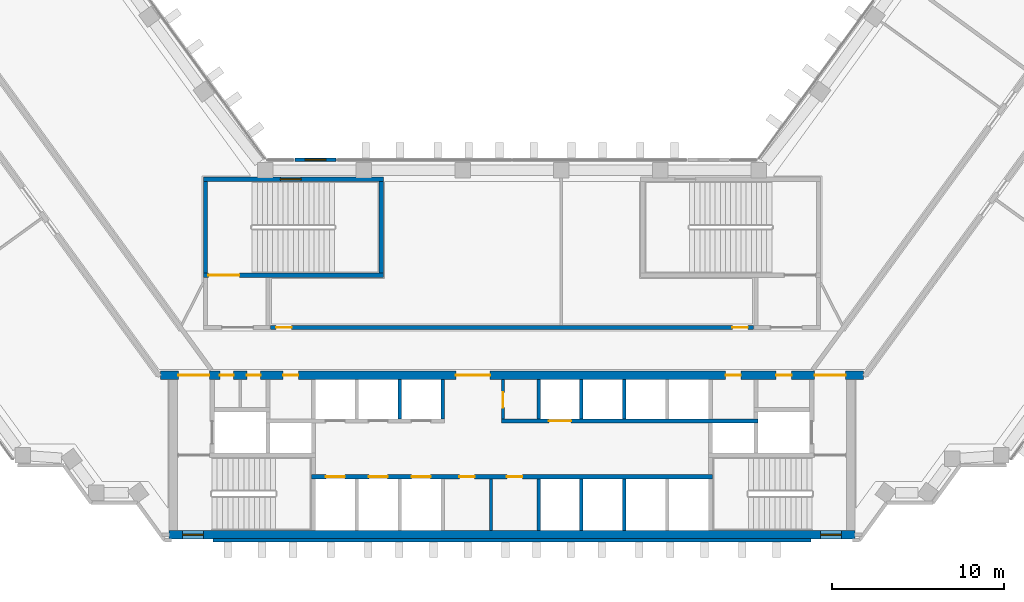
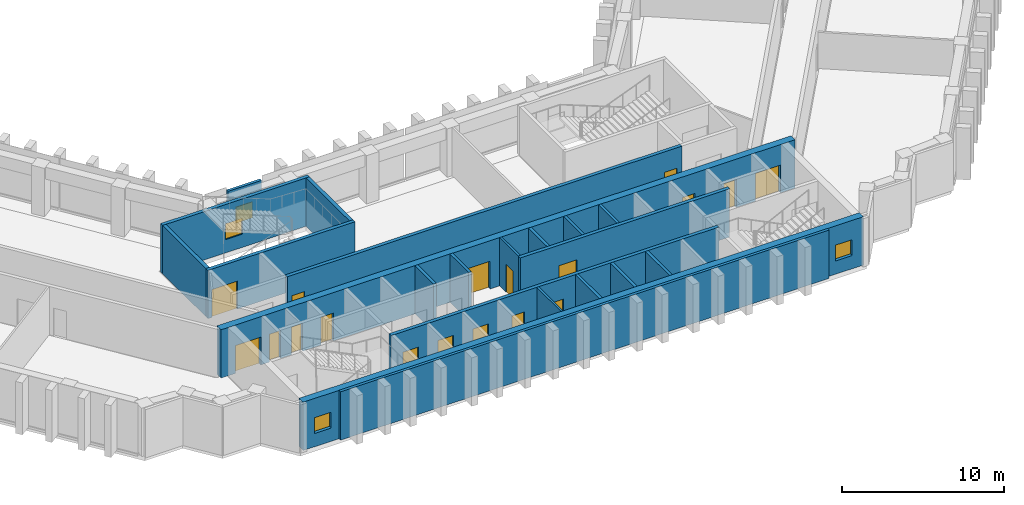
# One storey, part 5 of 11: 21 walls, 18 doors, 4 windows, 22 openings.
"""IFC4 building model written with IfcOpenShell, lengths in metres."""

import ifcopenshell
import ifcopenshell.guid

model = None  # the IFC model being written
_history = None  # IfcOwnerHistory: only IFC2X3 demands one
_inside = {}  # id of a spatial element -> (the spatial element, [elements in it])
_under = {}  # id of a project, library or spatial element -> (it, [spatial elements below it])
_declared = {}  # id of a project -> (the project, [libraries it declares])
_typed = {}  # id of a type object -> (the type object, [elements of that type])
_made_of = {}  # id of a material, layer set ... -> (it, [elements and type objects made of it])


def new_model(schema):
    """Start an empty IFC model of exactly this schema.

    Asked for "IFC4X3", IfcOpenShell would pick the latest addendum, in which some entities
    have other attributes; the version numbers below select the first issue.
    IFC2X3 requires an IfcOwnerHistory on every rooted entity: one is made here for all.
    """
    global model, _history
    if schema == "IFC4X3":
        model = ifcopenshell.file(schema_version=(4, 3, 0, 0))
    else:
        model = ifcopenshell.file(schema=schema)
    _inside.clear()
    _under.clear()
    _declared.clear()
    _typed.clear()
    _made_of.clear()
    _history = None
    if model.schema == "IFC2X3":
        org = make("IfcOrganization", Name="unknown")
        user = make(
            "IfcPersonAndOrganization",
            ThePerson=make("IfcPerson", FamilyName="unknown"),
            TheOrganization=org,
        )
        app = make(
            "IfcApplication",
            ApplicationDeveloper=org,
            Version="unknown",
            ApplicationFullName="unknown",
            ApplicationIdentifier="unknown",
        )
        _history = make(
            "IfcOwnerHistory",
            OwningUser=user,
            OwningApplication=app,
            ChangeAction="ADDED",
            CreationDate=0,
        )
    return model


def make(cls, **values):
    """One entity of the class cls with the attributes given. An attribute that is None is left unset."""
    return model.create_entity(
        cls, **{name: value for name, value in values.items() if value is not None}
    )


def rooted(cls, **values):
    """An entity with a GlobalId (a new one), such as an element, a storey or a relation."""
    return make(cls, GlobalId=ifcopenshell.guid.new(), OwnerHistory=_history, **values)


def si_unit(unit_type, name, prefix=None):
    """IfcSIUnit, for example si_unit("LENGTHUNIT", "METRE", prefix="MILLI")."""
    return make("IfcSIUnit", UnitType=unit_type, Prefix=prefix, Name=name)


def assignment(units):
    """IfcUnitAssignment: the units of a project."""
    return None if units is None else make("IfcUnitAssignment", Units=units)


def point(xyz):
    """IfcCartesianPoint."""
    return None if xyz is None else make("IfcCartesianPoint", Coordinates=xyz)


def direction(xyz):
    """IfcDirection."""
    return None if xyz is None else make("IfcDirection", DirectionRatios=xyz)


def frame(location, z_axis=None, x_axis=None):
    """IfcAxis2Placement3D, a coordinate frame: its origin and axes. An axis left out is left unset."""
    return make(
        "IfcAxis2Placement3D",
        Location=point(location),
        Axis=direction(z_axis),
        RefDirection=direction(x_axis),
    )


def frame_2d(location, x_axis=None):
    """IfcAxis2Placement2D, a coordinate frame in the plane: its origin and x axis."""
    return make(
        "IfcAxis2Placement2D", Location=point(location), RefDirection=direction(x_axis)
    )


def origin():
    """The frame at (0, 0, 0) with its axes left unset."""
    return frame((0.0, 0.0, 0.0))


def place(relative_to, where):
    """IfcLocalPlacement: puts the frame where relative to a parent placement (None: the world)."""
    return make(
        "IfcLocalPlacement", PlacementRelTo=relative_to, RelativePlacement=where
    )


def context(
    kind, dimensions, precision=None, world=None, true_north=None, identifier=None
):
    """IfcGeometricRepresentationContext, for example the 3D "Model" context."""
    return make(
        "IfcGeometricRepresentationContext",
        ContextIdentifier=identifier,
        ContextType=kind,
        CoordinateSpaceDimension=dimensions,
        Precision=precision,
        WorldCoordinateSystem=world,
        TrueNorth=true_north,
    )


def subcontext(parent, identifier, kind, view, scale=None):
    """IfcGeometricRepresentationSubContext, for example "Body" below "Model"."""
    return make(
        "IfcGeometricRepresentationSubContext",
        ContextIdentifier=identifier,
        ContextType=kind,
        ParentContext=parent,
        TargetScale=scale,
        TargetView=view,
    )


def project(units=None, contexts=None):
    """IfcProject with its units and contexts."""
    return rooted(
        "IfcProject",
        Name="project",
        RepresentationContexts=contexts,
        UnitsInContext=assignment(units),
    )


def spatial(cls, under=None, at=None, **own):
    """A site, building, storey or space (cls), placed at a placement, below another one or the project."""
    s = rooted(cls, ObjectPlacement=at, **own)
    if under is not None:
        _under.setdefault(under.id(), (under, []))[1].append(s)
    return s


def profile(cls, at=None, kind="AREA", **sizes):
    """A parametric profile (cls). Its sizes go by their IFC names, for example OverallWidth=200.0."""
    return make(cls, ProfileType=kind, Position=at, **sizes)


def rectangle(**sizes):
    """IfcRectangleProfileDef."""
    return profile("IfcRectangleProfileDef", **sizes)


def extrude(swept, where, along, depth):
    """IfcExtrudedAreaSolid: the profile swept, set in the frame where, extruded along a direction by depth."""
    return make(
        "IfcExtrudedAreaSolid",
        SweptArea=swept,
        Position=where,
        ExtrudedDirection=direction(along),
        Depth=depth,
    )


def shape(context_of_items, identifier, shape_type, items):
    """IfcShapeRepresentation: the items that make up one representation, for example the "Body"."""
    return make(
        "IfcShapeRepresentation",
        ContextOfItems=context_of_items,
        RepresentationIdentifier=identifier,
        RepresentationType=shape_type,
        Items=items,
    )


def material(Name=None, Category=None):
    """IfcMaterial."""
    return make("IfcMaterial", Name=Name, Category=Category)


def layer(
    of_material, thickness, ventilated=None, Name=None, Category=None, Priority=None
):
    """IfcMaterialLayer: one layer of a wall or slab, of a material (None: an air gap)."""
    return make(
        "IfcMaterialLayer",
        Material=of_material,
        LayerThickness=thickness,
        IsVentilated=ventilated,
        Name=Name,
        Category=Category,
        Priority=Priority,
    )


def layer_set(layers, Name=None):
    """IfcMaterialLayerSet."""
    return make("IfcMaterialLayerSet", MaterialLayers=layers, LayerSetName=Name)


def made_of(thing, what):
    """Note that an element or type object is made of a material, layer set ...; save() writes the relation."""
    if what is not None:
        _made_of.setdefault(what.id(), (what, []))[1].append(thing)
    return thing


def type_object(cls, material=None, **own):
    """A type object (cls), such as IfcWallType, which elements share."""
    return made_of(rooted(cls, **own), material)


def element(
    cls,
    number,
    at=None,
    inside=None,
    cuts=None,
    type_object=None,
    material=None,
    context=None,
    identifier="Body",
    shape_type=None,
    held_by="IfcProductDefinitionShape",
    body=None,
    shapes=None,
    **own,
):
    """One element of the class cls, such as IfcWall. Its Tag is "e" and its number.

    at: its placement. inside: the storey or other place that contains it. cuts: it is an
    opening in that element (IfcRelVoidsElement). A single representation is given by context,
    identifier, shape_type and body (its items); several are given by shapes. held_by: the class
    of the entity that holds the representations. save() writes the other relations.
    """
    e = rooted(cls, Tag="e%d" % number, ObjectPlacement=at, **own)
    if body is not None:
        shapes = [shape(context, identifier, shape_type, body)]
    if shapes is not None:
        e.Representation = make(held_by, Representations=shapes)
    if inside is not None:
        _inside.setdefault(inside.id(), (inside, []))[1].append(e)
    if cuts is not None:
        rooted(
            "IfcRelVoidsElement", RelatingBuildingElement=cuts, RelatedOpeningElement=e
        )
    if type_object is not None:
        _typed.setdefault(type_object.id(), (type_object, []))[1].append(e)
    return made_of(e, material)


def fill(opening, filler):
    """IfcRelFillsElement: the door or window that sits in an opening."""
    return rooted(
        "IfcRelFillsElement",
        RelatingOpeningElement=opening,
        RelatedBuildingElement=filler,
    )


def aggregate(whole, parts):
    """IfcRelAggregates: a whole, such as a stair, and the parts it consists of."""
    return rooted("IfcRelAggregates", RelatingObject=whole, RelatedObjects=parts)


def save(model, path):
    """Write the relations noted so far, then the file.

    IfcRelAggregates (storeys below a building ...), IfcRelContainedInSpatialStructure (elements
    in a storey), IfcRelDefinesByType, IfcRelAssociatesMaterial and IfcRelDeclares: one each for
    every whole, place, type object, material and project.
    """
    for whole, parts in _under.values():
        aggregate(whole, parts)
    for where, things in _inside.values():
        rooted(
            "IfcRelContainedInSpatialStructure",
            RelatedElements=things,
            RelatingStructure=where,
        )
    for kind, things in _typed.values():
        rooted("IfcRelDefinesByType", RelatedObjects=things, RelatingType=kind)
    for what, things in _made_of.values():
        rooted("IfcRelAssociatesMaterial", RelatedObjects=things, RelatingMaterial=what)
    for by, libraries in _declared.values():
        rooted("IfcRelDeclares", RelatingContext=by, RelatedDefinitions=libraries)
    model.write(path)


model = new_model("IFC4")

# Units and contexts
model_context = context("Model", 3, precision=1e-05, world=origin(), true_north=direction((0.0, 1.0)))
body_context = subcontext(model_context, "Body", "Model", "MODEL_VIEW")
ifc_project = project(units=[si_unit("LENGTHUNIT", "METRE"), si_unit("AREAUNIT", "SQUARE_METRE"), si_unit("VOLUMEUNIT", "CUBIC_METRE"), si_unit("PLANEANGLEUNIT", "RADIAN"), si_unit("MASSUNIT", "GRAM", prefix="KILO")], contexts=[model_context])

# Site, building, storey
site_placement = place(None, origin())
site = spatial("IfcSite", under=ifc_project, at=site_placement, CompositionType="ELEMENT")
building_placement = place(site_placement, origin())
building = spatial("IfcBuilding", under=site, at=building_placement, Name="Quipu Civic Tower", CompositionType="ELEMENT")
storey_placement = place(building_placement, frame((0.0, 0.0, 117.0)))
storey = spatial("IfcBuildingStorey", under=building, at=storey_placement, Name="L27", CompositionType="ELEMENT", Elevation=117.0)

# Wall, openings, doors
ifc_material_1 = material(Name="Concrete C70/85", Category="concrete")
ifc_layer_1 = layer(ifc_material_1, 0.25)
ifc_layer_set_1 = layer_set([ifc_layer_1], Name="Concrete C70/85")
wall_type_1 = type_object("IfcWallType", Name="Core wall 250", PredefinedType="SHEAR", material=ifc_layer_set_1)
wall_1_placement = place(storey_placement, frame((11.699951171875, -7.375, 0.0), z_axis=(0.0, 0.0, 1.0), x_axis=(-1.0, 0.0, 0.0)))
wall_1 = element("IfcWall", 1, at=wall_1_placement, inside=storey, type_object=wall_type_1, Name="Core wall", PredefinedType="SHEAR", context=body_context, shape_type="SweptSolid", body=[
    extrude(rectangle(XDim=23.39990234375, YDim=0.25, at=frame_2d((11.699951171875, 0.0))), origin(), (0.0, 0.0, 1.0), 3.64990234375),
])
opening_1_placement = place(wall_1_placement, frame((21.449951171875, 0.0, 0.0)))
opening_1 = element("IfcOpeningElement", 2, at=opening_1_placement, cuts=wall_1, Name="Opening LD-LL1", PredefinedType="OPENING", context=body_context, shape_type="SweptSolid", body=[
    extrude(rectangle(XDim=1.10009765625, YDim=2.10009765625, at=frame_2d((0.550048828125, 1.050048828125))), frame((0.0, 0.135009765625, 0.0), z_axis=(0.0, -1.0, 0.0), x_axis=(1.0, 0.0, 0.0)), (0.0, 0.0, 1.0), 0.27001953125),
])
opening_2_placement = place(wall_1_placement, frame((18.949951171875, 0.0, 0.0)))
opening_2 = element("IfcOpeningElement", 3, at=opening_2_placement, cuts=wall_1, Name="Opening LD-LL2", PredefinedType="OPENING", context=body_context, shape_type="SweptSolid", body=[
    extrude(rectangle(XDim=1.10009765625, YDim=2.10009765625, at=frame_2d((0.550048828125, 1.050048828125))), frame((0.0, 0.135009765625, 0.0), z_axis=(0.0, -1.0, 0.0), x_axis=(1.0, 0.0, 0.0)), (0.0, 0.0, 1.0), 0.27001953125),
])
opening_3_placement = place(wall_1_placement, frame((16.449951171875, 0.0, 0.0)))
opening_3 = element("IfcOpeningElement", 4, at=opening_3_placement, cuts=wall_1, Name="Opening LD-LL3", PredefinedType="OPENING", context=body_context, shape_type="SweptSolid", body=[
    extrude(rectangle(XDim=1.10009765625, YDim=2.10009765625, at=frame_2d((0.550048828125, 1.050048828125))), frame((0.0, 0.135009765625, 0.0), z_axis=(0.0, -1.0, 0.0), x_axis=(1.0, 0.0, 0.0)), (0.0, 0.0, 1.0), 0.27001953125),
])
opening_4_placement = place(wall_1_placement, frame((13.875, 0.0, 0.0)))
opening_4 = element("IfcOpeningElement", 5, at=opening_4_placement, cuts=wall_1, Name="Opening CD-01", PredefinedType="OPENING", context=body_context, shape_type="SweptSolid", body=[
    extrude(rectangle(XDim=0.89990234375, YDim=2.10009765625, at=frame_2d((0.449951171875, 1.050048828125))), frame((0.0, 0.135009765625, 0.0), z_axis=(0.0, -1.0, 0.0), x_axis=(1.0, 0.0, 0.0)), (0.0, 0.0, 1.0), 0.27001953125),
])
opening_5_placement = place(wall_1_placement, frame((11.10009765625, 0.0, 0.0)))
opening_5 = element("IfcOpeningElement", 6, at=opening_5_placement, cuts=wall_1, Name="Opening CD-02", PredefinedType="OPENING", context=body_context, shape_type="SweptSolid", body=[
    extrude(rectangle(XDim=0.89990234375, YDim=2.10009765625, at=frame_2d((0.449951171875, 1.050048828125))), frame((0.0, 0.135009765625, 0.0), z_axis=(0.0, -1.0, 0.0), x_axis=(1.0, 0.0, 0.0)), (0.0, 0.0, 1.0), 0.27001953125),
])
ifc_material_2 = material(Name="Fire rated steel door", Category="steel")
door_type_1 = type_object("IfcDoorType", Name="Fire door FD60 900 x 2100", OperationType="NOTDEFINED", PredefinedType="DOOR", material=ifc_material_2)
door_1_placement = place(opening_4_placement, origin())
door_1 = element("IfcDoor", 7, at=door_1_placement, inside=storey, type_object=door_type_1, Name="WC door", OperationType="SINGLE_SWING_RIGHT", OverallHeight=2.10009765625, OverallWidth=0.89990234375, PredefinedType="DOOR", context=body_context, shape_type="SweptSolid", body=[
    extrude(rectangle(XDim=0.89990234375, YDim=2.10009765625, at=frame_2d((0.449951171875, 1.050048828125))), frame((0.0, 0.02490234375, 0.0), z_axis=(0.0, -1.0, 0.0), x_axis=(1.0, 0.0, 0.0)), (0.0, 0.0, 1.0), 0.050048828125),
])
fill(opening_4, door_1)
door_2_placement = place(opening_5_placement, origin())
door_2 = element("IfcDoor", 8, at=door_2_placement, inside=storey, type_object=door_type_1, Name="WC door", OperationType="SINGLE_SWING_LEFT", OverallHeight=2.10009765625, OverallWidth=0.89990234375, PredefinedType="DOOR", context=body_context, shape_type="SweptSolid", body=[
    extrude(rectangle(XDim=0.89990234375, YDim=2.10009765625, at=frame_2d((0.449951171875, 1.050048828125))), frame((0.0, 0.02490234375, 0.0), z_axis=(0.0, -1.0, 0.0), x_axis=(1.0, 0.0, 0.0)), (0.0, 0.0, 1.0), 0.050048828125),
])
fill(opening_5, door_2)
ifc_material_3 = material(Name="Stainless steel", Category="steel")
door_type_2 = type_object("IfcDoorType", Name="Lift landing door 1100 x 2100", OperationType="DOUBLE_DOOR_SLIDING", PredefinedType="DOOR", material=ifc_material_3)
door_3_placement = place(opening_1_placement, origin())
door_3 = element("IfcDoor", 9, at=door_3_placement, inside=storey, type_object=door_type_2, Name="Landing door LL1", OperationType="DOUBLE_DOOR_SLIDING", OverallHeight=2.10009765625, OverallWidth=1.10009765625, PredefinedType="DOOR", context=body_context, shape_type="SweptSolid", body=[
    extrude(rectangle(XDim=1.10009765625, YDim=2.10009765625, at=frame_2d((0.550048828125, 1.050048828125))), frame((0.0, 0.02490234375, 0.0), z_axis=(0.0, -1.0, 0.0), x_axis=(1.0, 0.0, 0.0)), (0.0, 0.0, 1.0), 0.050048828125),
])
fill(opening_1, door_3)
door_4_placement = place(opening_2_placement, origin())
door_4 = element("IfcDoor", 10, at=door_4_placement, inside=storey, type_object=door_type_2, Name="Landing door LL2", OperationType="DOUBLE_DOOR_SLIDING", OverallHeight=2.10009765625, OverallWidth=1.10009765625, PredefinedType="DOOR", context=body_context, shape_type="SweptSolid", body=[
    extrude(rectangle(XDim=1.10009765625, YDim=2.10009765625, at=frame_2d((0.550048828125, 1.050048828125))), frame((0.0, 0.02490234375, 0.0), z_axis=(0.0, -1.0, 0.0), x_axis=(1.0, 0.0, 0.0)), (0.0, 0.0, 1.0), 0.050048828125),
])
fill(opening_2, door_4)
door_5_placement = place(opening_3_placement, origin())
door_5 = element("IfcDoor", 11, at=door_5_placement, inside=storey, type_object=door_type_2, Name="Landing door LL3", OperationType="DOUBLE_DOOR_SLIDING", OverallHeight=2.10009765625, OverallWidth=1.10009765625, PredefinedType="DOOR", context=body_context, shape_type="SweptSolid", body=[
    extrude(rectangle(XDim=1.10009765625, YDim=2.10009765625, at=frame_2d((0.550048828125, 1.050048828125))), frame((0.0, 0.02490234375, 0.0), z_axis=(0.0, -1.0, 0.0), x_axis=(1.0, 0.0, 0.0)), (0.0, 0.0, 1.0), 0.050048828125),
])
fill(opening_3, door_5)

# Wall, opening, door
wall_2_placement = place(storey_placement, frame((-0.60009765625, -4.125, 0.0), z_axis=(0.0, 0.0, 1.0), x_axis=(1.0, 0.0, 0.0)))
wall_2 = element("IfcWall", 12, at=wall_2_placement, inside=storey, type_object=wall_type_1, Name="Core wall", PredefinedType="SHEAR", context=body_context, shape_type="SweptSolid", body=[
    extrude(rectangle(XDim=14.9501953125, YDim=0.25, at=frame_2d((7.47509765625, 0.0))), origin(), (0.0, 0.0, 1.0), 3.64990234375),
])
opening_6_placement = place(wall_2_placement, frame((2.75, 0.0, 0.0)))
opening_6 = element("IfcOpeningElement", 13, at=opening_6_placement, cuts=wall_2, Name="Opening LD-FF3", PredefinedType="OPENING", context=body_context, shape_type="SweptSolid", body=[
    extrude(rectangle(XDim=1.300048828125, YDim=2.10009765625, at=frame_2d((0.64990234375, 1.050048828125))), frame((0.0, 0.135009765625, 0.0), z_axis=(0.0, -1.0, 0.0), x_axis=(1.0, 0.0, 0.0)), (0.0, 0.0, 1.0), 0.27001953125),
])
ifc_material_4 = material(Name="Stainless steel", Category="steel")
door_type_3 = type_object("IfcDoorType", Name="Lift landing door 1300 x 2100", OperationType="DOUBLE_DOOR_SLIDING", PredefinedType="DOOR", material=ifc_material_4)
door_6_placement = place(opening_6_placement, origin())
door_6 = element("IfcDoor", 14, at=door_6_placement, inside=storey, type_object=door_type_3, Name="Landing door FF3", OperationType="DOUBLE_DOOR_SLIDING", OverallHeight=2.10009765625, OverallWidth=1.300048828125, PredefinedType="DOOR", context=body_context, shape_type="SweptSolid", body=[
    extrude(rectangle(XDim=1.300048828125, YDim=2.10009765625, at=frame_2d((0.64990234375, 1.050048828125))), frame((0.0, 0.02490234375, 0.0), z_axis=(0.0, -1.0, 0.0), x_axis=(1.0, 0.0, 0.0)), (0.0, 0.0, 1.0), 0.050048828125),
])
fill(opening_6, door_6)

wall_3_placement = place(storey_placement, frame((-18.0, 4.375, 0.0), z_axis=(0.0, 0.0, 1.0), x_axis=(1.0, 0.0, 0.0)))
wall_3 = element("IfcWall", 15, at=wall_3_placement, inside=storey, type_object=wall_type_1, Name="Core wall", PredefinedType="SHEAR", context=body_context, shape_type="SweptSolid", body=[
    extrude(rectangle(XDim=10.5, YDim=0.25, at=frame_2d((5.25, 0.0))), origin(), (0.0, 0.0, 1.0), 3.64990234375),
])
opening_7_placement = place(wall_3_placement, frame((0.300048828125, 0.0, 0.0)))
opening_7 = element("IfcOpeningElement", 16, at=opening_7_placement, cuts=wall_3, Name="Opening CD-15", PredefinedType="OPENING", context=body_context, shape_type="SweptSolid", body=[
    extrude(rectangle(XDim=1.800048828125, YDim=2.10009765625, at=frame_2d((0.89990234375, 1.050048828125))), frame((0.0, 0.135009765625, 0.0), z_axis=(0.0, -1.0, 0.0), x_axis=(1.0, 0.0, 0.0)), (0.0, 0.0, 1.0), 0.27001953125),
])
ifc_material_5 = material(Name="Fire rated steel door", Category="steel")
door_type_4 = type_object("IfcDoorType", Name="Fire door FD90 double 1800 x 2100", OperationType="NOTDEFINED", PredefinedType="DOOR", material=ifc_material_5)
door_7_placement = place(opening_7_placement, origin())
door_7 = element("IfcDoor", 17, at=door_7_placement, inside=storey, type_object=door_type_4, Name="Door", OperationType="DOUBLE_DOOR_SINGLE_SWING", OverallHeight=2.10009765625, OverallWidth=1.800048828125, PredefinedType="DOOR", context=body_context, shape_type="SweptSolid", body=[
    extrude(rectangle(XDim=1.800048828125, YDim=2.10009765625, at=frame_2d((0.89990234375, 1.050048828125))), frame((0.0, 0.02490234375, 0.0), z_axis=(0.0, -1.0, 0.0), x_axis=(1.0, 0.0, 0.0)), (0.0, 0.0, 1.0), 0.050048828125),
])
fill(opening_7, door_7)

# Walls
for number, where, z_axis, x_axis, name in (
    (18, (-17.875, 4.5, 0.0), (0.0, 0.0, 1.0), (0.0, 1.0, 0.0), "Core wall"),
    (19, (-7.625, 4.5, 0.0), (0.0, 0.0, 1.0), (0.0, 1.0, 0.0), "Core wall"),
):
    element("IfcWall", number, at=place(storey_placement, frame(where, z_axis=z_axis, x_axis=x_axis)), inside=storey, type_object=wall_type_1, Name=name, PredefinedType="SHEAR", context=body_context, shape_type="SweptSolid", body=[
        extrude(rectangle(XDim=5.35009765625, YDim=0.25, at=frame_2d((2.675048828125, 0.0))), origin(), (0.0, 0.0, 1.0), 3.64990234375),
    ])

# Wall, opening, window
wall_4_placement = place(storey_placement, frame((-18.0, 9.97509765625, 0.0), z_axis=(0.0, 0.0, 1.0), x_axis=(1.0, 0.0, 0.0)))
wall_4 = element("IfcWall", 20, at=wall_4_placement, inside=storey, type_object=wall_type_1, Name="Core wall", PredefinedType="SHEAR", context=body_context, shape_type="SweptSolid", body=[
    extrude(rectangle(XDim=10.5, YDim=0.25, at=frame_2d((5.25, 0.0))), origin(), (0.0, 0.0, 1.0), 3.64990234375),
])
opening_8_placement = place(wall_4_placement, frame((4.5, 0.0, 1.0)))
opening_8 = element("IfcOpeningElement", 21, at=opening_8_placement, cuts=wall_4, Name="Opening SV-3", PredefinedType="OPENING", context=body_context, shape_type="SweptSolid", body=[
    extrude(rectangle(XDim=1.199951171875, YDim=1.199951171875, at=frame_2d((0.60009765625, 0.60009765625))), frame((0.0, 0.135009765625, 0.0), z_axis=(0.0, -1.0, 0.0), x_axis=(1.0, 0.0, 0.0)), (0.0, 0.0, 1.0), 0.27001953125),
])
ifc_material_6 = material(Name="Aluminium louvre", Category="aluminium")
window_type_1 = type_object("IfcWindowType", Name="Stair ventilation louvre 1200 x 1200", PartitioningType="SINGLE_PANEL", PredefinedType="WINDOW", material=ifc_material_6)
window_1_placement = place(opening_8_placement, origin())
window_1 = element("IfcWindow", 22, at=window_1_placement, inside=storey, type_object=window_type_1, Name="Stair ventilation opening", OverallHeight=1.199951171875, OverallWidth=1.199951171875, PartitioningType="SINGLE_PANEL", PredefinedType="WINDOW", context=body_context, shape_type="SweptSolid", body=[
    extrude(rectangle(XDim=1.199951171875, YDim=1.199951171875, at=frame_2d((0.60009765625, 0.60009765625))), frame((0.0, 0.030029296875, 0.0), z_axis=(0.0, -1.0, 0.0), x_axis=(1.0, 0.0, 0.0)), (0.0, 0.0, 1.0), 0.06005859375),
])
fill(opening_8, window_1)

# Wall, openings, windows
ifc_material_7 = material(Name="Concrete C70/85", Category="concrete")
ifc_layer_2 = layer(ifc_material_7, 0.5)
ifc_layer_set_2 = layer_set([ifc_layer_2], Name="Concrete C70/85")
wall_type_2 = type_object("IfcWallType", Name="Core wall 500", PredefinedType="SHEAR", material=ifc_layer_set_2)
wall_5_placement = place(storey_placement, frame((-20.0, -10.75, 0.0), z_axis=(0.0, 0.0, 1.0), x_axis=(1.0, 0.0, 0.0)))
wall_5 = element("IfcWall", 23, at=wall_5_placement, inside=storey, type_object=wall_type_2, Name="Core wall", PredefinedType="SHEAR", context=body_context, shape_type="SweptSolid", body=[
    extrude(rectangle(XDim=40.0, YDim=0.5, at=frame_2d((20.0, 0.0))), origin(), (0.0, 0.0, 1.0), 3.64990234375),
])
opening_9_placement = place(wall_5_placement, frame((0.800048828125, 0.0, 1.0)))
opening_9 = element("IfcOpeningElement", 24, at=opening_9_placement, cuts=wall_5, Name="Opening SV-1", PredefinedType="OPENING", context=body_context, shape_type="SweptSolid", body=[
    extrude(rectangle(XDim=1.199951171875, YDim=1.199951171875, at=frame_2d((0.60009765625, 0.60009765625))), frame((0.0, 0.260009765625, 0.0), z_axis=(0.0, -1.0, 0.0), x_axis=(1.0, 0.0, 0.0)), (0.0, 0.0, 1.0), 0.52001953125),
])
opening_10_placement = place(wall_5_placement, frame((38.0, 0.0, 1.0)))
opening_10 = element("IfcOpeningElement", 25, at=opening_10_placement, cuts=wall_5, Name="Opening SV-2", PredefinedType="OPENING", context=body_context, shape_type="SweptSolid", body=[
    extrude(rectangle(XDim=1.199951171875, YDim=1.199951171875, at=frame_2d((0.60009765625, 0.60009765625))), frame((0.0, 0.260009765625, 0.0), z_axis=(0.0, -1.0, 0.0), x_axis=(1.0, 0.0, 0.0)), (0.0, 0.0, 1.0), 0.52001953125),
])
window_2_placement = place(opening_9_placement, origin())
window_2 = element("IfcWindow", 26, at=window_2_placement, inside=storey, type_object=window_type_1, Name="Stair ventilation opening", OverallHeight=1.199951171875, OverallWidth=1.199951171875, PartitioningType="SINGLE_PANEL", PredefinedType="WINDOW", context=body_context, shape_type="SweptSolid", body=[
    extrude(rectangle(XDim=1.199951171875, YDim=1.199951171875, at=frame_2d((0.60009765625, 0.60009765625))), frame((0.0, 0.030029296875, 0.0), z_axis=(0.0, -1.0, 0.0), x_axis=(1.0, 0.0, 0.0)), (0.0, 0.0, 1.0), 0.06005859375),
])
fill(opening_9, window_2)
window_3_placement = place(opening_10_placement, origin())
window_3 = element("IfcWindow", 27, at=window_3_placement, inside=storey, type_object=window_type_1, Name="Stair ventilation opening", OverallHeight=1.199951171875, OverallWidth=1.199951171875, PartitioningType="SINGLE_PANEL", PredefinedType="WINDOW", context=body_context, shape_type="SweptSolid", body=[
    extrude(rectangle(XDim=1.199951171875, YDim=1.199951171875, at=frame_2d((0.60009765625, 0.60009765625))), frame((0.0, 0.030029296875, 0.0), z_axis=(0.0, -1.0, 0.0), x_axis=(1.0, 0.0, 0.0)), (0.0, 0.0, 1.0), 0.06005859375),
])
fill(opening_10, window_3)

# Wall, openings, doors
wall_6_placement = place(storey_placement, frame((20.489990234375, -1.449951171875, 0.0), z_axis=(0.0, 0.0, 1.0), x_axis=(-1.0, 0.0, 0.0)))
wall_6 = element("IfcWall", 28, at=wall_6_placement, inside=storey, type_object=wall_type_2, Name="Core wall", PredefinedType="SHEAR", context=body_context, shape_type="SweptSolid", body=[
    extrude(rectangle(XDim=40.97998046875, YDim=0.5, at=frame_2d((20.489990234375, 0.0))), origin(), (0.0, 0.0, 1.0), 3.64990234375),
])
opening_11_placement = place(wall_6_placement, frame((38.139892578125, 0.0, 0.0)))
opening_11 = element("IfcOpeningElement", 29, at=opening_11_placement, cuts=wall_6, Name="Opening CD-06", PredefinedType="OPENING", context=body_context, shape_type="SweptSolid", body=[
    extrude(rectangle(XDim=1.800048828125, YDim=2.10009765625, at=frame_2d((0.89990234375, 1.050048828125))), frame((0.0, 0.260009765625, 0.0), z_axis=(0.0, -1.0, 0.0), x_axis=(1.0, 0.0, 0.0)), (0.0, 0.0, 1.0), 0.52001953125),
])
opening_12_placement = place(wall_6_placement, frame((36.7275390625, 0.0, 0.0)))
opening_12 = element("IfcOpeningElement", 30, at=opening_12_placement, cuts=wall_6, Name="Opening CD-07", PredefinedType="OPENING", context=body_context, shape_type="SweptSolid", body=[
    extrude(rectangle(XDim=0.800048828125, YDim=2.10009765625, at=frame_2d((0.39990234375, 1.050048828125))), frame((0.0, 0.260009765625, 0.0), z_axis=(0.0, -1.0, 0.0), x_axis=(1.0, 0.0, 0.0)), (0.0, 0.0, 1.0), 0.52001953125),
])
opening_13_placement = place(wall_6_placement, frame((35.152587890625, 0.0, 0.0)))
opening_13 = element("IfcOpeningElement", 31, at=opening_13_placement, cuts=wall_6, Name="Opening CD-08", PredefinedType="OPENING", context=body_context, shape_type="SweptSolid", body=[
    extrude(rectangle(XDim=0.800048828125, YDim=2.10009765625, at=frame_2d((0.39990234375, 1.050048828125))), frame((0.0, 0.260009765625, 0.0), z_axis=(0.0, -1.0, 0.0), x_axis=(1.0, 0.0, 0.0)), (0.0, 0.0, 1.0), 0.52001953125),
])
opening_14_placement = place(wall_6_placement, frame((32.93994140625, 0.0, 0.0)))
opening_14 = element("IfcOpeningElement", 32, at=opening_14_placement, cuts=wall_6, Name="Opening CD-09", PredefinedType="OPENING", context=body_context, shape_type="SweptSolid", body=[
    extrude(rectangle(XDim=0.89990234375, YDim=2.10009765625, at=frame_2d((0.449951171875, 1.050048828125))), frame((0.0, 0.260009765625, 0.0), z_axis=(0.0, -1.0, 0.0), x_axis=(1.0, 0.0, 0.0)), (0.0, 0.0, 1.0), 0.52001953125),
])
opening_15_placement = place(wall_6_placement, frame((21.764892578125, 0.0, 0.0)))
opening_15 = element("IfcOpeningElement", 33, at=opening_15_placement, cuts=wall_6, Name="Opening CD-10", PredefinedType="OPENING", context=body_context, shape_type="SweptSolid", body=[
    extrude(rectangle(XDim=2.0, YDim=2.10009765625, at=frame_2d((1.0, 1.050048828125))), frame((0.0, 0.260009765625, 0.0), z_axis=(0.0, -1.0, 0.0), x_axis=(1.0, 0.0, 0.0)), (0.0, 0.0, 1.0), 0.52001953125),
])
opening_16_placement = place(wall_6_placement, frame((7.139892578125, 0.0, 0.0)))
opening_16 = element("IfcOpeningElement", 34, at=opening_16_placement, cuts=wall_6, Name="Opening CD-11", PredefinedType="OPENING", context=body_context, shape_type="SweptSolid", body=[
    extrude(rectangle(XDim=0.89990234375, YDim=2.10009765625, at=frame_2d((0.449951171875, 1.050048828125))), frame((0.0, 0.260009765625, 0.0), z_axis=(0.0, -1.0, 0.0), x_axis=(1.0, 0.0, 0.0)), (0.0, 0.0, 1.0), 0.52001953125),
])
opening_17_placement = place(wall_6_placement, frame((4.18994140625, 0.0, 0.0)))
opening_17 = element("IfcOpeningElement", 35, at=opening_17_placement, cuts=wall_6, Name="Opening CD-12", PredefinedType="OPENING", context=body_context, shape_type="SweptSolid", body=[
    extrude(rectangle(XDim=0.89990234375, YDim=2.10009765625, at=frame_2d((0.449951171875, 1.050048828125))), frame((0.0, 0.260009765625, 0.0), z_axis=(0.0, -1.0, 0.0), x_axis=(1.0, 0.0, 0.0)), (0.0, 0.0, 1.0), 0.52001953125),
])
opening_18_placement = place(wall_6_placement, frame((1.0400390625, 0.0, 0.0)))
opening_18 = element("IfcOpeningElement", 36, at=opening_18_placement, cuts=wall_6, Name="Opening CD-13", PredefinedType="OPENING", context=body_context, shape_type="SweptSolid", body=[
    extrude(rectangle(XDim=1.800048828125, YDim=2.10009765625, at=frame_2d((0.89990234375, 1.050048828125))), frame((0.0, 0.260009765625, 0.0), z_axis=(0.0, -1.0, 0.0), x_axis=(1.0, 0.0, 0.0)), (0.0, 0.0, 1.0), 0.52001953125),
])
ifc_material_8 = material(Name="Fire rated steel door", Category="steel")
door_type_5 = type_object("IfcDoorType", Name="Fire door FD60 800 x 2100", OperationType="NOTDEFINED", PredefinedType="DOOR", material=ifc_material_8)
door_8_placement = place(opening_12_placement, origin())
door_8 = element("IfcDoor", 37, at=door_8_placement, inside=storey, type_object=door_type_5, Name="Door", OperationType="SINGLE_SWING_RIGHT", OverallHeight=2.10009765625, OverallWidth=0.800048828125, PredefinedType="DOOR", context=body_context, shape_type="SweptSolid", body=[
    extrude(rectangle(XDim=0.800048828125, YDim=2.10009765625, at=frame_2d((0.39990234375, 1.050048828125))), frame((0.0, 0.02490234375, 0.0), z_axis=(0.0, -1.0, 0.0), x_axis=(1.0, 0.0, 0.0)), (0.0, 0.0, 1.0), 0.050048828125),
])
fill(opening_12, door_8)
door_9_placement = place(opening_13_placement, origin())
door_9 = element("IfcDoor", 38, at=door_9_placement, inside=storey, type_object=door_type_5, Name="Door", OperationType="SINGLE_SWING_RIGHT", OverallHeight=2.10009765625, OverallWidth=0.800048828125, PredefinedType="DOOR", context=body_context, shape_type="SweptSolid", body=[
    extrude(rectangle(XDim=0.800048828125, YDim=2.10009765625, at=frame_2d((0.39990234375, 1.050048828125))), frame((0.0, 0.02490234375, 0.0), z_axis=(0.0, -1.0, 0.0), x_axis=(1.0, 0.0, 0.0)), (0.0, 0.0, 1.0), 0.050048828125),
])
fill(opening_13, door_9)
door_10_placement = place(opening_14_placement, origin())
door_10 = element("IfcDoor", 39, at=door_10_placement, inside=storey, type_object=door_type_1, Name="Riser door", OperationType="SINGLE_SWING_RIGHT", OverallHeight=2.10009765625, OverallWidth=0.89990234375, PredefinedType="DOOR", context=body_context, shape_type="SweptSolid", body=[
    extrude(rectangle(XDim=0.89990234375, YDim=2.10009765625, at=frame_2d((0.449951171875, 1.050048828125))), frame((0.0, 0.02490234375, 0.0), z_axis=(0.0, -1.0, 0.0), x_axis=(1.0, 0.0, 0.0)), (0.0, 0.0, 1.0), 0.050048828125),
])
fill(opening_14, door_10)
door_11_placement = place(opening_16_placement, origin())
door_11 = element("IfcDoor", 40, at=door_11_placement, inside=storey, type_object=door_type_1, Name="Riser door", OperationType="SINGLE_SWING_LEFT", OverallHeight=2.10009765625, OverallWidth=0.89990234375, PredefinedType="DOOR", context=body_context, shape_type="SweptSolid", body=[
    extrude(rectangle(XDim=0.89990234375, YDim=2.10009765625, at=frame_2d((0.449951171875, 1.050048828125))), frame((0.0, 0.02490234375, 0.0), z_axis=(0.0, -1.0, 0.0), x_axis=(1.0, 0.0, 0.0)), (0.0, 0.0, 1.0), 0.050048828125),
])
fill(opening_16, door_11)
door_12_placement = place(opening_17_placement, origin())
door_12 = element("IfcDoor", 41, at=door_12_placement, inside=storey, type_object=door_type_1, Name="Door", OperationType="SINGLE_SWING_LEFT", OverallHeight=2.10009765625, OverallWidth=0.89990234375, PredefinedType="DOOR", context=body_context, shape_type="SweptSolid", body=[
    extrude(rectangle(XDim=0.89990234375, YDim=2.10009765625, at=frame_2d((0.449951171875, 1.050048828125))), frame((0.0, 0.02490234375, 0.0), z_axis=(0.0, -1.0, 0.0), x_axis=(1.0, 0.0, 0.0)), (0.0, 0.0, 1.0), 0.050048828125),
])
fill(opening_17, door_12)
door_13_placement = place(opening_11_placement, origin())
door_13 = element("IfcDoor", 42, at=door_13_placement, inside=storey, type_object=door_type_4, Name="Lobby door", OperationType="DOUBLE_DOOR_SINGLE_SWING", OverallHeight=2.10009765625, OverallWidth=1.800048828125, PredefinedType="DOOR", context=body_context, shape_type="SweptSolid", body=[
    extrude(rectangle(XDim=1.800048828125, YDim=2.10009765625, at=frame_2d((0.89990234375, 1.050048828125))), frame((0.0, 0.02490234375, 0.0), z_axis=(0.0, -1.0, 0.0), x_axis=(1.0, 0.0, 0.0)), (0.0, 0.0, 1.0), 0.050048828125),
])
fill(opening_11, door_13)
door_14_placement = place(opening_18_placement, origin())
door_14 = element("IfcDoor", 43, at=door_14_placement, inside=storey, type_object=door_type_4, Name="Lobby door", OperationType="DOUBLE_DOOR_SINGLE_SWING", OverallHeight=2.10009765625, OverallWidth=1.800048828125, PredefinedType="DOOR", context=body_context, shape_type="SweptSolid", body=[
    extrude(rectangle(XDim=1.800048828125, YDim=2.10009765625, at=frame_2d((0.89990234375, 1.050048828125))), frame((0.0, 0.02490234375, 0.0), z_axis=(0.0, -1.0, 0.0), x_axis=(1.0, 0.0, 0.0)), (0.0, 0.0, 1.0), 0.050048828125),
])
fill(opening_18, door_14)
ifc_material_9 = material(Name="Fire rated steel door", Category="steel")
door_type_6 = type_object("IfcDoorType", Name="Fire door FD90 double 2000 x 2100", OperationType="NOTDEFINED", PredefinedType="DOOR", material=ifc_material_9)
door_15_placement = place(opening_15_placement, origin())
door_15 = element("IfcDoor", 44, at=door_15_placement, inside=storey, type_object=door_type_6, Name="Lobby door", OperationType="DOUBLE_DOOR_SINGLE_SWING", OverallHeight=2.10009765625, OverallWidth=2.0, PredefinedType="DOOR", context=body_context, shape_type="SweptSolid", body=[
    extrude(rectangle(XDim=2.0, YDim=2.10009765625, at=frame_2d((1.0, 1.050048828125))), frame((0.0, 0.02490234375, 0.0), z_axis=(0.0, -1.0, 0.0), x_axis=(1.0, 0.0, 0.0)), (0.0, 0.0, 1.0), 0.050048828125),
])
fill(opening_15, door_15)

ifc_material_10 = material(Name="Concrete C50/60", Category="concrete")
ifc_layer_3 = layer(ifc_material_10, 0.25)
ifc_layer_set_3 = layer_set([ifc_layer_3], Name="Concrete C50/60")
wall_type_3 = type_object("IfcWallType", Name="Corridor wall 250 concrete", PredefinedType="SOLIDWALL", material=ifc_layer_set_3)
wall_7_placement = place(storey_placement, frame((-14.090087890625, 1.324951171875, 0.0), z_axis=(0.0, 0.0, 1.0), x_axis=(1.0, 0.0, 0.0)))
wall_7 = element("IfcWall", 45, at=wall_7_placement, inside=storey, type_object=wall_type_3, Name="Corridor wall C05", PredefinedType="SOLIDWALL", context=body_context, shape_type="SweptSolid", body=[
    extrude(rectangle(XDim=28.18017578125, YDim=0.25, at=frame_2d((14.090087890625, 0.0))), origin(), (0.0, 0.0, 1.0), 3.64990234375),
])
opening_19_placement = place(wall_7_placement, frame((0.340087890625, 0.0, 0.0)))
opening_19 = element("IfcOpeningElement", 46, at=opening_19_placement, cuts=wall_7, Name="Opening D006", PredefinedType="OPENING", context=body_context, shape_type="SweptSolid", body=[
    extrude(rectangle(XDim=0.89990234375, YDim=2.10009765625, at=frame_2d((0.449951171875, 1.050048828125))), frame((0.0, 0.135009765625, 0.0), z_axis=(0.0, -1.0, 0.0), x_axis=(1.0, 0.0, 0.0)), (0.0, 0.0, 1.0), 0.27001953125),
])
opening_20_placement = place(wall_7_placement, frame((26.93994140625, 0.0, 0.0)))
opening_20 = element("IfcOpeningElement", 47, at=opening_20_placement, cuts=wall_7, Name="Opening D007", PredefinedType="OPENING", context=body_context, shape_type="SweptSolid", body=[
    extrude(rectangle(XDim=0.89990234375, YDim=2.10009765625, at=frame_2d((0.449951171875, 1.050048828125))), frame((0.0, 0.135009765625, 0.0), z_axis=(0.0, -1.0, 0.0), x_axis=(1.0, 0.0, 0.0)), (0.0, 0.0, 1.0), 0.27001953125),
])
ifc_material_11 = material(Name="Fire rated timber door set with metal frame", Category="wood")
door_type_7 = type_object("IfcDoorType", Name="Single door 900 x 2100 FD60", OperationType="NOTDEFINED", PredefinedType="DOOR", material=ifc_material_11)
door_16_placement = place(opening_19_placement, origin())
door_16 = element("IfcDoor", 48, at=door_16_placement, inside=storey, type_object=door_type_7, Name="Door D006", OperationType="SINGLE_SWING_LEFT", OverallHeight=2.10009765625, OverallWidth=0.89990234375, PredefinedType="DOOR", context=body_context, shape_type="SweptSolid", body=[
    extrude(rectangle(XDim=0.89990234375, YDim=2.10009765625, at=frame_2d((0.449951171875, 1.050048828125))), frame((0.0, 0.02490234375, 0.0), z_axis=(0.0, -1.0, 0.0), x_axis=(1.0, 0.0, 0.0)), (0.0, 0.0, 1.0), 0.050048828125),
])
fill(opening_19, door_16)
door_17_placement = place(opening_20_placement, origin())
door_17 = element("IfcDoor", 49, at=door_17_placement, inside=storey, type_object=door_type_7, Name="Door D007", OperationType="SINGLE_SWING_RIGHT", OverallHeight=2.10009765625, OverallWidth=0.89990234375, PredefinedType="DOOR", context=body_context, shape_type="SweptSolid", body=[
    extrude(rectangle(XDim=0.89990234375, YDim=2.10009765625, at=frame_2d((0.449951171875, 1.050048828125))), frame((0.0, 0.02490234375, 0.0), z_axis=(0.0, -1.0, 0.0), x_axis=(1.0, 0.0, 0.0)), (0.0, 0.0, 1.0), 0.050048828125),
])
fill(opening_20, door_17)

# Wall
ifc_material_12 = material(Name="Gypsum board partition")
ifc_layer_4 = layer(ifc_material_12, 0.14990234375)
ifc_layer_set_4 = layer_set([ifc_layer_4], Name="Gypsum board partition")
wall_type_4 = type_object("IfcWallType", Name="Partition 150", PredefinedType="PARTITIONING", material=ifc_layer_set_4)
wall_8_placement = place(storey_placement, frame((-1.22509765625, -10.5, 0.0), z_axis=(0.0, 0.0, 1.0), x_axis=(0.0, 1.0, 0.0)))
element("IfcWall", 50, at=wall_8_placement, inside=storey, type_object=wall_type_4, Name="Partition", PredefinedType="PARTITIONING", context=body_context, shape_type="SweptSolid", body=[
    extrude(rectangle(XDim=3.0, YDim=0.14990234375, at=frame_2d((1.5, 0.0))), origin(), (0.0, 0.0, 1.0), 3.64990234375),
])

# Wall, opening, door
wall_9_placement = place(storey_placement, frame((-0.52490234375, -4.0, 0.0), z_axis=(0.0, 0.0, 1.0), x_axis=(0.0, 1.0, 0.0)))
wall_9 = element("IfcWall", 51, at=wall_9_placement, inside=storey, type_object=wall_type_4, Name="Partition", PredefinedType="PARTITIONING", context=body_context, shape_type="SweptSolid", body=[
    extrude(rectangle(XDim=2.300048828125, YDim=0.14990234375, at=frame_2d((1.14990234375, 0.0))), origin(), (0.0, 0.0, 1.0), 3.64990234375),
])
opening_21_placement = place(wall_9_placement, frame((0.64990234375, 0.0, 0.0)))
opening_21 = element("IfcOpeningElement", 52, at=opening_21_placement, cuts=wall_9, Name="Opening CD-05", PredefinedType="OPENING", context=body_context, shape_type="SweptSolid", body=[
    extrude(rectangle(XDim=0.89990234375, YDim=2.10009765625, at=frame_2d((0.449951171875, 1.050048828125))), frame((0.0, 0.0849609375, 0.0), z_axis=(0.0, -1.0, 0.0), x_axis=(1.0, 0.0, 0.0)), (0.0, 0.0, 1.0), 0.169921875),
])
door_18_placement = place(opening_21_placement, origin())
door_18 = element("IfcDoor", 53, at=door_18_placement, inside=storey, type_object=door_type_1, Name="WC door", OperationType="SINGLE_SWING_LEFT", OverallHeight=2.10009765625, OverallWidth=0.89990234375, PredefinedType="DOOR", context=body_context, shape_type="SweptSolid", body=[
    extrude(rectangle(XDim=0.89990234375, YDim=2.10009765625, at=frame_2d((0.449951171875, 1.050048828125))), frame((0.0, 0.02490234375, 0.0), z_axis=(0.0, -1.0, 0.0), x_axis=(1.0, 0.0, 0.0)), (0.0, 0.0, 1.0), 0.050048828125),
])
fill(opening_21, door_18)

# Wall
ifc_material_13 = material(Name="Precast concrete C40/50", Category="concrete")
wall_type_5 = type_object("IfcWallType", Name="Precast cladding wall", PredefinedType="SOLIDWALL", material=ifc_material_13)
wall_10_placement = place(storey_placement, frame((-17.44384765625, -11.087890625, 0.0), z_axis=(0.0, 0.0, 1.0), x_axis=(1.0, 0.0, 0.0)))
element("IfcWall", 54, at=wall_10_placement, inside=storey, type_object=wall_type_5, Name="Precast cladding wall L27 P17", PredefinedType="SOLIDWALL", context=body_context, shape_type="SweptSolid", body=[
    extrude(rectangle(XDim=34.8876953125, YDim=0.199951171875, at=frame_2d((17.44384765625, 0.0))), origin(), (0.0, 0.0, 1.0), 3.64990234375),
])

# Wall, opening, window
wall_11_placement = place(storey_placement, frame((-10.263427734375, 11.10009765625, 0.0), z_axis=(0.0, 0.0, 1.0), x_axis=(-1.0, 0.0, 0.0)))
wall_11 = element("IfcWall", 55, at=wall_11_placement, inside=storey, type_object=wall_type_5, Name="Vent surround SF-L25-1", PredefinedType="SOLIDWALL", context=body_context, shape_type="SweptSolid", body=[
    extrude(rectangle(XDim=2.3916015625, YDim=0.199951171875, at=frame_2d((1.19580078125, 0.0))), origin(), (0.0, 0.0, 1.0), 3.64990234375),
])
opening_22_placement = place(wall_11_placement, frame((0.595703125, 0.0, 1.0)))
opening_22 = element("IfcOpeningElement", 56, at=opening_22_placement, cuts=wall_11, Name="Opening SF-L25-1", PredefinedType="OPENING", context=body_context, shape_type="SweptSolid", body=[
    extrude(rectangle(XDim=1.199951171875, YDim=1.199951171875, at=frame_2d((0.60009765625, 0.60009765625))), frame((0.0, 0.10986328125, 0.0), z_axis=(0.0, -1.0, 0.0), x_axis=(1.0, 0.0, 0.0)), (0.0, 0.0, 1.0), 0.219970703125),
])
ifc_material_14 = material(Name="Anodised aluminium louvre", Category="aluminium")
window_type_2 = type_object("IfcWindowType", Name="Stair vent louvre window P3", PartitioningType="SINGLE_PANEL", PredefinedType="WINDOW", material=ifc_material_14)
window_4_placement = place(opening_22_placement, origin())
window_4 = element("IfcWindow", 57, at=window_4_placement, inside=storey, type_object=window_type_2, Name="Stair vent louvre SF-L25-1", OverallHeight=1.199951171875, OverallWidth=1.199951171875, PartitioningType="SINGLE_PANEL", PredefinedType="WINDOW", context=body_context, shape_type="SweptSolid", body=[
    extrude(rectangle(XDim=1.199951171875, YDim=1.199951171875, at=frame_2d((0.60009765625, 0.60009765625))), frame((0.0, 0.030029296875, 0.0), z_axis=(0.0, -1.0, 0.0), x_axis=(1.0, 0.0, 0.0)), (0.0, 0.0, 1.0), 0.06005859375),
])
fill(opening_22, window_4)

# Walls
ifc_material_15 = material(Name="Concrete C40/50", Category="concrete")
ifc_layer_5 = layer(ifc_material_15, 0.199951171875)
ifc_layer_set_5 = layer_set([ifc_layer_5], Name="Concrete C40/50")
wall_type_6 = type_object("IfcWallType", Name="Shaft wall 200", PredefinedType="SOLIDWALL", material=ifc_layer_set_5)
for number, where, z_axis, x_axis, name in (
    (58, (1.550048828125, -10.5, 0.0), (0.0, 0.0, 1.0), (0.0, 1.0, 0.0), "Shaft wall"),
    (59, (4.050048828125, -10.5, 0.0), (0.0, 0.0, 1.0), (0.0, 1.0, 0.0), "Shaft wall"),
    (60, (6.550048828125, -10.5, 0.0), (0.0, 0.0, 1.0), (0.0, 1.0, 0.0), "Shaft wall"),
):
    element("IfcWall", number, at=place(storey_placement, frame(where, z_axis=z_axis, x_axis=x_axis)), inside=storey, type_object=wall_type_6, Name=name, PredefinedType="SOLIDWALL", context=body_context, shape_type="SweptSolid", body=[
        extrude(rectangle(XDim=3.0, YDim=0.199951171875, at=frame_2d((1.5, 0.0))), origin(), (0.0, 0.0, 1.0), 3.64990234375),
    ])
for number, where, z_axis, x_axis, name in (
    (61, (-6.550048828125, -4.0, 0.0), (0.0, 0.0, 1.0), (0.0, 1.0, 0.0), "Shaft wall"),
    (62, (-4.050048828125, -4.0, 0.0), (0.0, 0.0, 1.0), (0.0, 1.0, 0.0), "Shaft wall"),
    (63, (1.550048828125, -4.0, 0.0), (0.0, 0.0, 1.0), (0.0, 1.0, 0.0), "Shaft wall"),
    (64, (4.050048828125, -4.0, 0.0), (0.0, 0.0, 1.0), (0.0, 1.0, 0.0), "Shaft wall"),
    (65, (6.550048828125, -4.0, 0.0), (0.0, 0.0, 1.0), (0.0, 1.0, 0.0), "Shaft wall"),
):
    element("IfcWall", number, at=place(storey_placement, frame(where, z_axis=z_axis, x_axis=x_axis)), inside=storey, type_object=wall_type_6, Name=name, PredefinedType="SOLIDWALL", context=body_context, shape_type="SweptSolid", body=[
        extrude(rectangle(XDim=2.300048828125, YDim=0.199951171875, at=frame_2d((1.14990234375, 0.0))), origin(), (0.0, 0.0, 1.0), 3.64990234375),
    ])

save(model, "model.ifc")
